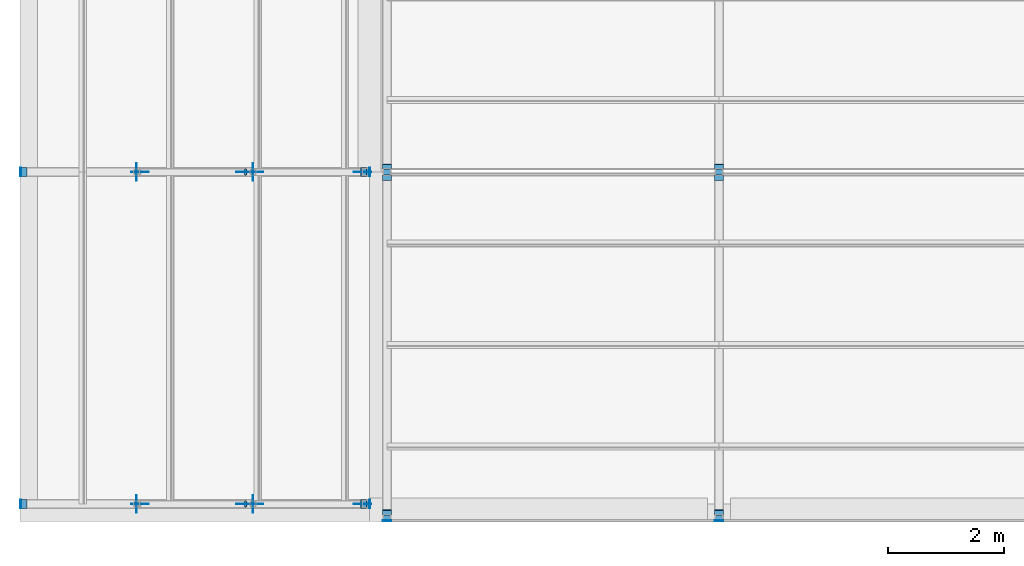
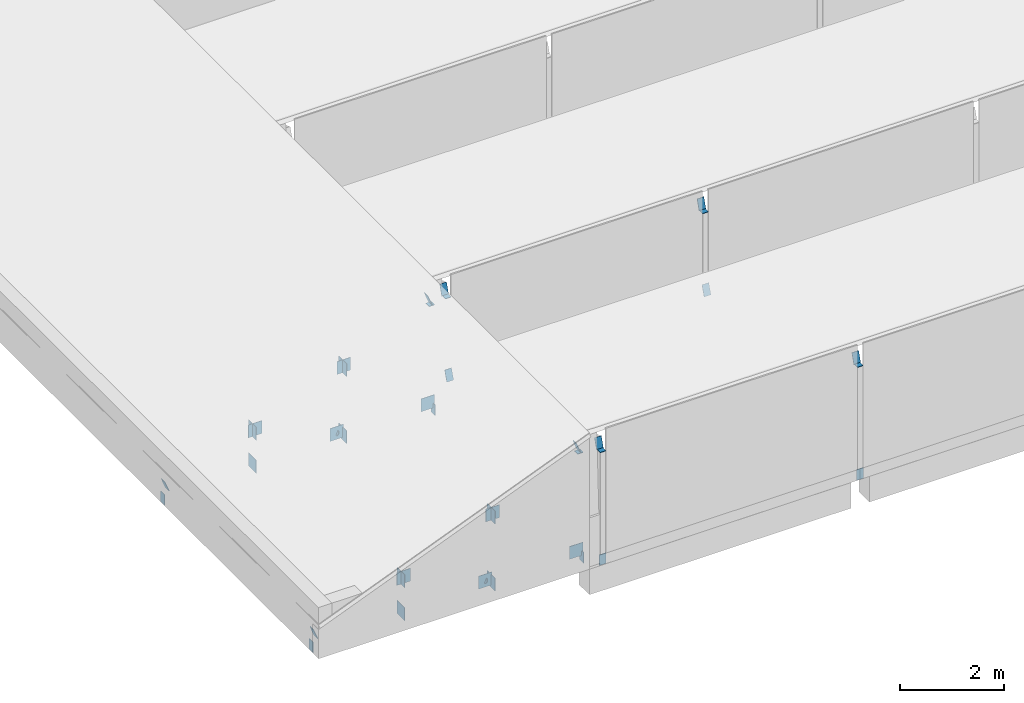
# One storey, part 78 of 118: 40 discrete accessories.
"""IFC4 building model written with IfcOpenShell, lengths in metres."""

from ifc_helpers import new_model, si_unit, direction, frame, origin, origin_2d, place, context, subcontext, project, spatial, rectangle, circle, extrude, material, material_profile, profile_set, type_object, element, save


model = new_model("IFC4")

# Units and contexts
model_context = context("Model", 3, precision=1e-05, world=origin(), true_north=direction((0.0, 1.0)))
body_context = subcontext(model_context, "Body", "Model", "MODEL_VIEW")
ifc_project = project(units=[si_unit("LENGTHUNIT", "METRE"), si_unit("AREAUNIT", "SQUARE_METRE"), si_unit("VOLUMEUNIT", "CUBIC_METRE"), si_unit("PLANEANGLEUNIT", "RADIAN"), si_unit("MASSUNIT", "GRAM", prefix="KILO")], contexts=[model_context])

# Site, building, storey
site_placement = place(None, origin())
site = spatial("IfcSite", under=ifc_project, at=site_placement, CompositionType="ELEMENT")
building_placement = place(site_placement, origin())
building = spatial("IfcBuilding", under=site, at=building_placement, Name="Saffron Lane Theatres", CompositionType="ELEMENT")
storey_placement = place(building_placement, frame((0.0, 0.0, 16.5)))
storey = spatial("IfcBuildingStorey", under=building, at=storey_placement, Name="L03", CompositionType="ELEMENT", Elevation=16.5)

# Discrete accessories
ifc_material_1 = material(Name="Steel Grade 350", Category="steel")
ifc_material_profile_1 = material_profile(ifc_material_1, rectangle(XDim=0.300048828125, YDim=0.300048828125, at=origin_2d()))
ifc_profile_set_1 = profile_set([ifc_material_profile_1], Name="Steel Grade 350")
discrete_accessory_type_1 = type_object("IfcDiscreteAccessoryType", Name="ST-GUSSET CONNECTION PLATE", PredefinedType="BRACKET", material=ifc_profile_set_1)
for number, where, z_axis, x_axis, name in (
    (1, (1.9951171875, 0.300048828125, 0.25), (1.0, 0.0, 0.0), (0.0, 1.0, 0.0), "GB169"),
    (2, (1.9951171875, 0.300048828125, 1.022216796875), (1.0, 0.0, 0.0), (0.0, 1.0, 0.0), "GB170"),
    (3, (3.9951171875, 0.300048828125, 0.25), (1.0, 0.0, 0.0), (0.0, 1.0, 0.0), "GB171"),
    (4, (3.9951171875, 0.300048828125, 1.8173828125), (1.0, 0.0, 0.0), (0.0, 1.0, 0.0), "GB172"),
):
    element("IfcDiscreteAccessory", number, at=place(storey_placement, frame(where, z_axis=z_axis, x_axis=x_axis)), inside=storey, type_object=discrete_accessory_type_1, Name=name, PredefinedType="BRACKET", context=body_context, shape_type="SweptSolid", body=[
        extrude(rectangle(XDim=0.300048828125, YDim=0.300048828125, at=origin_2d()), origin(), (0.0, 0.0, 1.0), 0.009765625),
    ])
for number, where, z_axis, x_axis, name in (
    (5, (5.8837890625, 0.294921875, 0.294189453125), (0.0, 1.0, 0.0), (-1.0, 0.0, 0.0), "GB173"),
    (6, (4.0244140625, 0.294921875, 1.820068359375), (0.0, 1.0, 0.0), (-1.0, 0.0, 0.0), "GB174"),
    (7, (3.866455078125, 0.294921875, 0.30322265625), (0.0, 1.0, 0.0), (-1.0, 0.0, 0.0), "GB175"),
    (8, (2.05615234375, 0.294921875, 1.022705078125), (0.0, 1.0, 0.0), (-1.0, 0.0, 0.0), "GB176"),
):
    element("IfcDiscreteAccessory", number, at=place(storey_placement, frame(where, z_axis=z_axis, x_axis=x_axis)), inside=storey, type_object=discrete_accessory_type_1, Name=name, PredefinedType="BRACKET", context=body_context, shape_type="SweptSolid", body=[
        extrude(rectangle(XDim=0.300048828125, YDim=0.300048828125, at=origin_2d()), origin(), (0.0, 0.0, 1.0), 0.010009765625),
    ])
for number, where, z_axis, x_axis, name in (
    (9, (1.9951171875, 6.0, 0.25), (1.0, 0.0, 0.0), (0.0, 1.0, 0.0), "GB177"),
    (10, (1.9951171875, 6.0, 1.022216796875), (1.0, 0.0, 0.0), (0.0, 1.0, 0.0), "GB178"),
    (11, (3.9951171875, 6.0, 0.25), (1.0, 0.0, 0.0), (0.0, 1.0, 0.0), "GB179"),
    (12, (3.9951171875, 6.0, 1.8173828125), (1.0, 0.0, 0.0), (0.0, 1.0, 0.0), "GB180"),
    (13, (5.8837890625, 5.9951171875, 0.294189453125), (0.0, 1.0, 0.0), (-1.0, 0.0, 0.0), "GB181"),
    (14, (4.0244140625, 5.9951171875, 1.820068359375), (0.0, 1.0, 0.0), (-1.0, 0.0, 0.0), "GB182"),
    (15, (3.866455078125, 5.9951171875, 0.30322265625), (0.0, 1.0, 0.0), (-1.0, 0.0, 0.0), "GB183"),
    (16, (2.05615234375, 5.9951171875, 1.022705078125), (0.0, 1.0, 0.0), (-1.0, 0.0, 0.0), "GB184"),
):
    element("IfcDiscreteAccessory", number, at=place(storey_placement, frame(where, z_axis=z_axis, x_axis=x_axis)), inside=storey, type_object=discrete_accessory_type_1, Name=name, PredefinedType="BRACKET", context=body_context, shape_type="SweptSolid", body=[
        extrude(rectangle(XDim=0.300048828125, YDim=0.300048828125, at=origin_2d()), origin(), (0.0, 0.0, 1.0), 0.009765625),
    ])
ifc_material_2 = material(Name="Steel Grade 350", Category="steel")
ifc_material_profile_2 = material_profile(ifc_material_2, circle(Radius=0.05712890625, at=origin_2d()))
ifc_profile_set_2 = profile_set([ifc_material_profile_2], Name="Steel Grade 350")
discrete_accessory_type_2 = type_object("IfcDiscreteAccessoryType", Name="ST-STEEL END CAP 114.3x6.0 CHS", PredefinedType="ANCHORPLATE", material=ifc_profile_set_2)
for number, where, z_axis, x_axis, name in (
    (17, (3.87744140625, 0.300048828125, 0.298583984375), (-0.921249561411, 0.0, 0.38897203704), (0.0, -1.0, 0.0), "EC262"),
    (18, (3.87744140625, 6.0, 0.298583984375), (-0.921249561411, 0.0, 0.38897203704), (0.0, -1.0, 0.0), "EC268"),
):
    element("IfcDiscreteAccessory", number, at=place(storey_placement, frame(where, z_axis=z_axis, x_axis=x_axis)), inside=storey, type_object=discrete_accessory_type_2, Name=name, PredefinedType="ANCHORPLATE", context=body_context, shape_type="SweptSolid", body=[
        extrude(circle(Radius=0.05712890625, at=origin_2d()), origin(), (0.0, 0.0, 1.0), 0.011962890625),
    ])
ifc_material_3 = material(Name="Steel Grade 350", Category="steel")
ifc_material_profile_3 = material_profile(ifc_material_3, rectangle(XDim=0.125, YDim=0.125, at=origin_2d()))
ifc_profile_set_3 = profile_set([ifc_material_profile_3], Name="Steel Grade 350")
discrete_accessory_type_3 = type_object("IfcDiscreteAccessoryType", Name="ST-STEEL END CAP 125x125x6 SHS", PredefinedType="ANCHORPLATE", material=ifc_profile_set_3)
for number, where, z_axis, x_axis, name in (
    (19, (6.300048828125, 0.0625, 2.638671875), (0.0, 0.0, 1.0), (1.0, 0.0, 0.0), "EC152"),
    (20, (6.300048828125, 6.0, 2.638671875), (0.0, 0.0, 1.0), (1.0, 0.0, 0.0), "EC155"),
    (21, (12.0, 0.0625, 2.638671875), (0.0, 0.0, 1.0), (1.0, 0.0, 0.0), "EC163"),
    (22, (12.0, 6.0, 2.638671875), (0.0, 0.0, 1.0), (1.0, 0.0, 0.0), "EC166"),
    (23, (5.9375, 0.300048828125, 2.58544921875), (0.0, 0.0, 1.0), (1.0, 0.0, 0.0), "EC261"),
    (24, (5.9375, 6.0, 2.58544921875), (0.0, 0.0, 1.0), (1.0, 0.0, 0.0), "EC267"),
):
    element("IfcDiscreteAccessory", number, at=place(storey_placement, frame(where, z_axis=z_axis, x_axis=x_axis)), inside=storey, type_object=discrete_accessory_type_3, Name=name, PredefinedType="ANCHORPLATE", context=body_context, shape_type="SweptSolid", body=[
        extrude(rectangle(XDim=0.125, YDim=0.125, at=origin_2d()), origin(), (0.0, 0.0, 1.0), 0.011962890625),
    ])
ifc_material_4 = material(Name="Steel Grade 350", Category="steel")
ifc_material_profile_4 = material_profile(ifc_material_4, rectangle(XDim=0.14990234375, YDim=0.25, at=origin_2d()))
ifc_profile_set_4 = profile_set([ifc_material_profile_4], Name="Steel Grade 350")
discrete_accessory_type_4 = type_object("IfcDiscreteAccessoryType", Name="ST-STEEL END CAP 250x150x9 RHS", PredefinedType="ANCHORPLATE", material=ifc_profile_set_4)
discrete_accessory_1_placement = place(storey_placement, frame((6.300048828125, 0.008056640625, 0.125), z_axis=(0.0, 1.0, 0.0), x_axis=(-1.0, 0.0, 0.0)))
element("IfcDiscreteAccessory", 25, at=discrete_accessory_1_placement, inside=storey, type_object=discrete_accessory_type_4, Name="EC151", PredefinedType="ANCHORPLATE", context=body_context, shape_type="SweptSolid", body=[
    extrude(rectangle(XDim=0.14990234375, YDim=0.25, at=origin_2d()), origin(), (0.0, 0.0, 1.0), 0.011962890625),
])
discrete_accessory_2_placement = place(storey_placement, frame((6.300048828125, 0.15283203125, 2.76123046875), z_axis=(0.0, 0.950729839481, -0.310020599831), x_axis=(-1.0, 0.0, 0.0)))
element("IfcDiscreteAccessory", 26, at=discrete_accessory_2_placement, inside=storey, type_object=discrete_accessory_type_4, Name="EC153", PredefinedType="ANCHORPLATE", context=body_context, shape_type="SweptSolid", body=[
    extrude(rectangle(XDim=0.14990234375, YDim=0.25, at=origin_2d()), origin(), (0.0, 0.0, 1.0), 0.01171875),
])
discrete_accessory_3_placement = place(storey_placement, frame((6.300048828125, 5.8984375, 0.865234375), z_axis=(0.0, 0.944496796706, -0.328520624941), x_axis=(-1.0, 0.0, 0.0)))
element("IfcDiscreteAccessory", 27, at=discrete_accessory_3_placement, inside=storey, type_object=discrete_accessory_type_4, Name="EC154", PredefinedType="ANCHORPLATE", context=body_context, shape_type="SweptSolid", body=[
    extrude(rectangle(XDim=0.14990234375, YDim=0.25, at=origin_2d()), origin(), (0.0, 0.0, 1.0), 0.011962890625),
])
discrete_accessory_4_placement = place(storey_placement, frame((6.300048828125, 6.09033203125, 2.76123046875), z_axis=(0.0, 0.950729839481, -0.310020599831), x_axis=(-1.0, 0.0, 0.0)))
element("IfcDiscreteAccessory", 28, at=discrete_accessory_4_placement, inside=storey, type_object=discrete_accessory_type_4, Name="EC156", PredefinedType="ANCHORPLATE", context=body_context, shape_type="SweptSolid", body=[
    extrude(rectangle(XDim=0.14990234375, YDim=0.25, at=origin_2d()), origin(), (0.0, 0.0, 1.0), 0.01171875),
])
discrete_accessory_5_placement = place(storey_placement, frame((12.0, 0.008056640625, 0.125), z_axis=(0.0, 1.0, 0.0), x_axis=(-1.0, 0.0, 0.0)))
element("IfcDiscreteAccessory", 29, at=discrete_accessory_5_placement, inside=storey, type_object=discrete_accessory_type_4, Name="EC162", PredefinedType="ANCHORPLATE", context=body_context, shape_type="SweptSolid", body=[
    extrude(rectangle(XDim=0.14990234375, YDim=0.25, at=origin_2d()), origin(), (0.0, 0.0, 1.0), 0.011962890625),
])
discrete_accessory_6_placement = place(storey_placement, frame((12.0, 0.15283203125, 2.76123046875), z_axis=(0.0, 0.950729839481, -0.310020599831), x_axis=(-1.0, 0.0, 0.0)))
element("IfcDiscreteAccessory", 30, at=discrete_accessory_6_placement, inside=storey, type_object=discrete_accessory_type_4, Name="EC164", PredefinedType="ANCHORPLATE", context=body_context, shape_type="SweptSolid", body=[
    extrude(rectangle(XDim=0.14990234375, YDim=0.25, at=origin_2d()), origin(), (0.0, 0.0, 1.0), 0.01171875),
])
discrete_accessory_7_placement = place(storey_placement, frame((12.0, 5.8984375, 0.865234375), z_axis=(0.0, 0.944496796706, -0.328520624941), x_axis=(-1.0, 0.0, 0.0)))
element("IfcDiscreteAccessory", 31, at=discrete_accessory_7_placement, inside=storey, type_object=discrete_accessory_type_4, Name="EC165", PredefinedType="ANCHORPLATE", context=body_context, shape_type="SweptSolid", body=[
    extrude(rectangle(XDim=0.14990234375, YDim=0.25, at=origin_2d()), origin(), (0.0, 0.0, 1.0), 0.011962890625),
])
discrete_accessory_8_placement = place(storey_placement, frame((12.0, 6.09033203125, 2.76123046875), z_axis=(0.0, 0.950729839481, -0.310020599831), x_axis=(-1.0, 0.0, 0.0)))
element("IfcDiscreteAccessory", 32, at=discrete_accessory_8_placement, inside=storey, type_object=discrete_accessory_type_4, Name="EC167", PredefinedType="ANCHORPLATE", context=body_context, shape_type="SweptSolid", body=[
    extrude(rectangle(XDim=0.14990234375, YDim=0.25, at=origin_2d()), origin(), (0.0, 0.0, 1.0), 0.01171875),
])
for number, where, z_axis, x_axis, name in (
    (33, (0.008056640625, 0.300048828125, 0.125), (1.0, 0.0, 0.0), (0.0, 1.0, 0.0), "EC257"),
    (34, (6.0, 0.300048828125, 0.125), (1.0, 0.0, 0.0), (0.0, 1.0, 0.0), "EC258"),
    (35, (0.06494140625, 0.300048828125, 0.410400390625), (0.931242779706, 0.0, 0.364399348581), (0.0, 1.0, 0.0), "EC259"),
    (36, (5.891357421875, 0.300048828125, 2.726318359375), (0.931242779706, 0.0, 0.364399348581), (0.0, 1.0, 0.0), "EC260"),
    (37, (0.008056640625, 6.0, 0.125), (1.0, 0.0, 0.0), (0.0, 1.0, 0.0), "EC263"),
    (38, (6.0, 6.0, 0.125), (1.0, 0.0, 0.0), (0.0, 1.0, 0.0), "EC264"),
    (39, (0.06494140625, 6.0, 0.410400390625), (0.931242779706, 0.0, 0.364399348581), (0.0, 1.0, 0.0), "EC265"),
    (40, (5.891357421875, 6.0, 2.726318359375), (0.931242779706, 0.0, 0.364399348581), (0.0, 1.0, 0.0), "EC266"),
):
    element("IfcDiscreteAccessory", number, at=place(storey_placement, frame(where, z_axis=z_axis, x_axis=x_axis)), inside=storey, type_object=discrete_accessory_type_4, Name=name, PredefinedType="ANCHORPLATE", context=body_context, shape_type="SweptSolid", body=[
        extrude(rectangle(XDim=0.14990234375, YDim=0.25, at=origin_2d()), origin(), (0.0, 0.0, 1.0), 0.011962890625),
    ])

save(model, "model.ifc")
